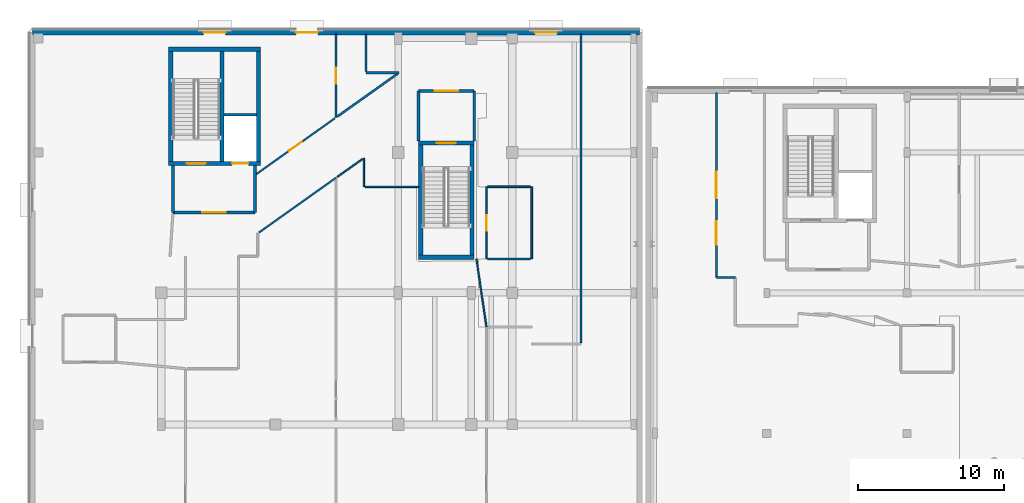
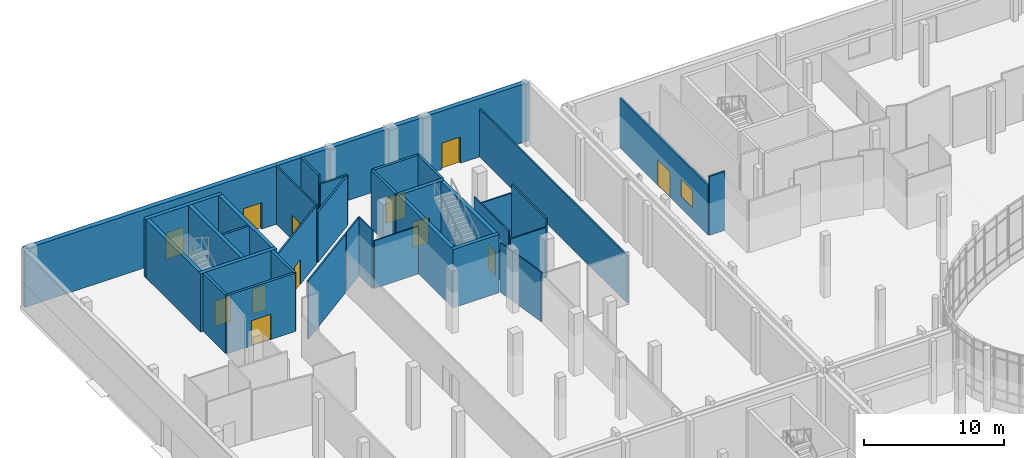
# One storey, part 47 of 84: 34 walls, 12 doors, 1 window, 13 openings.
"""IFC4 building model written with IfcOpenShell, lengths in metres."""

from ifc_helpers import new_model, si_unit, direction, frame, frame_2d, origin, place, context, subcontext, project, spatial, rectangle, extrude, material, layer, layer_set, type_object, element, fill, save


model = new_model("IFC4")

# Units and contexts
model_context = context("Model", 3, precision=1e-05, world=origin(), true_north=direction((0.0, 1.0)))
body_context = subcontext(model_context, "Body", "Model", "MODEL_VIEW")
ifc_project = project(units=[si_unit("LENGTHUNIT", "METRE"), si_unit("AREAUNIT", "SQUARE_METRE"), si_unit("VOLUMEUNIT", "CUBIC_METRE"), si_unit("PLANEANGLEUNIT", "RADIAN"), si_unit("MASSUNIT", "GRAM", prefix="KILO")], contexts=[model_context])

# Site, building, storey
site_placement = place(None, origin())
site = spatial("IfcSite", under=ifc_project, at=site_placement, CompositionType="ELEMENT")
building_placement = place(site_placement, origin())
building = spatial("IfcBuilding", under=site, at=building_placement, Name="Mzevani Central Library", CompositionType="ELEMENT")
storey_placement = place(building_placement, origin())
storey = spatial("IfcBuildingStorey", under=building, at=storey_placement, Name="L00", CompositionType="ELEMENT", Elevation=0.0)

# Wall
ifc_material_1 = material(Name="Concrete C35/45", Category="concrete")
ifc_layer_1 = layer(ifc_material_1, 0.199951171875, Name="Compartment Wall 200")
ifc_layer_set_1 = layer_set([ifc_layer_1], Name="Concrete C35/45")
wall_type_1 = type_object("IfcWallType", Name="Compartment Wall 200", PredefinedType="STANDARD", material=ifc_layer_set_1)
wall_1_placement = place(storey_placement, frame((13.800048828125, 108.699951171875, 0.0), z_axis=(0.0, 0.0, 1.0), x_axis=(0.0, -1.0, 0.0)))
element("IfcWall", 1, at=wall_1_placement, inside=storey, type_object=wall_type_1, Name="L00 Firefighting Stair and Lift Lobby C2A Enclosure Wall 1", PredefinedType="STANDARD", context=body_context, shape_type="SweptSolid", body=[
    extrude(rectangle(XDim=3.199951171875, YDim=0.199951171875, at=frame_2d((1.60009765625, 0.0))), origin(), (0.0, 0.0, 1.0), 5.080078125),
])

# Wall, opening, door
wall_2_placement = place(storey_placement, frame((13.800048828125, 105.5, 0.0), z_axis=(0.0, 0.0, 1.0), x_axis=(1.0, 0.0, 0.0)))
wall_2 = element("IfcWall", 2, at=wall_2_placement, inside=storey, type_object=wall_type_1, Name="L00 Firefighting Stair and Lift Lobby C2A Enclosure Wall 2", PredefinedType="STANDARD", context=body_context, shape_type="SweptSolid", body=[
    extrude(rectangle(XDim=5.599853515625, YDim=0.199951171875, at=frame_2d((2.7998046875, 0.0))), origin(), (0.0, 0.0, 1.0), 5.080078125),
])
opening_1_placement = place(wall_2_placement, frame((2.0, 0.0, 0.0)))
opening_1 = element("IfcOpeningElement", 3, at=opening_1_placement, cuts=wall_2, Name="Opening FD-02", PredefinedType="OPENING", context=body_context, shape_type="SweptSolid", body=[
    extrude(rectangle(XDim=1.60009765625, YDim=2.199951171875, at=frame_2d((0.800048828125, 1.10009765625))), frame((0.0, 0.10986328125, 0.0), z_axis=(0.0, -1.0, 0.0), x_axis=(1.0, 0.0, 0.0)), (0.0, 0.0, 1.0), 0.219970703125),
])
ifc_material_2 = material(Name="Fire-rated steel door assembly", Category="steel")
door_type_1 = type_object("IfcDoorType", Name="Fire Lobby Double Door 1600x2200", OperationType="NOTDEFINED", PredefinedType="DOOR", material=ifc_material_2)
door_1_placement = place(opening_1_placement, origin())
door_1 = element("IfcDoor", 4, at=door_1_placement, inside=storey, type_object=door_type_1, Name="L00 Firefighting Stair and Lift Lobby C2A Smoke-Control Door", OperationType="DOUBLE_DOOR_SINGLE_SWING", OverallHeight=2.199951171875, OverallWidth=1.60009765625, PredefinedType="DOOR", context=body_context, shape_type="SweptSolid", body=[
    extrude(rectangle(XDim=1.60009765625, YDim=2.199951171875, at=frame_2d((0.800048828125, 1.10009765625))), frame((0.0, 0.02490234375, 0.0), z_axis=(0.0, -1.0, 0.0), x_axis=(1.0, 0.0, 0.0)), (0.0, 0.0, 1.0), 0.050048828125),
])
fill(opening_1, door_1)

# Walls
wall_3_placement = place(storey_placement, frame((19.39990234375, 105.5, 0.0), z_axis=(0.0, 0.0, 1.0), x_axis=(0.0, 1.0, 0.0)))
element("IfcWall", 5, at=wall_3_placement, inside=storey, type_object=wall_type_1, Name="L00 Firefighting Stair and Lift Lobby C2A Enclosure Wall 3", PredefinedType="STANDARD", context=body_context, shape_type="SweptSolid", body=[
    extrude(rectangle(XDim=3.199951171875, YDim=0.199951171875, at=frame_2d((1.60009765625, 0.0))), origin(), (0.0, 0.0, 1.0), 5.080078125),
])
wall_4_placement = place(storey_placement, frame((30.60009765625, 110.39990234375, 0.0), z_axis=(0.0, 0.0, 1.0), x_axis=(0.0, 1.0, 0.0)))
element("IfcWall", 6, at=wall_4_placement, inside=storey, type_object=wall_type_1, Name="L00 Stair Vestibule C2B Enclosure Wall 1", PredefinedType="STANDARD", context=body_context, shape_type="SweptSolid", body=[
    extrude(rectangle(XDim=3.400146484375, YDim=0.199951171875, at=frame_2d((1.7001953125, 0.0))), origin(), (0.0, 0.0, 1.0), 5.080078125),
])

# Wall, opening, door
wall_5_placement = place(storey_placement, frame((30.60009765625, 113.800048828125, 0.0), z_axis=(0.0, 0.0, 1.0), x_axis=(1.0, 0.0, 0.0)))
wall_5 = element("IfcWall", 7, at=wall_5_placement, inside=storey, type_object=wall_type_1, Name="L00 Stair Vestibule C2B Enclosure Wall 2", PredefinedType="STANDARD", context=body_context, shape_type="SweptSolid", body=[
    extrude(rectangle(XDim=3.7998046875, YDim=0.199951171875, at=frame_2d((1.89990234375, 0.0))), origin(), (0.0, 0.0, 1.0), 5.080078125),
])
opening_2_placement = place(wall_5_placement, frame((1.10009765625, 0.0, 0.0)))
opening_2 = element("IfcOpeningElement", 8, at=opening_2_placement, cuts=wall_5, Name="Opening FD-02", PredefinedType="OPENING", context=body_context, shape_type="SweptSolid", body=[
    extrude(rectangle(XDim=1.60009765625, YDim=2.199951171875, at=frame_2d((0.800048828125, 1.10009765625))), frame((0.0, 0.10986328125, 0.0), z_axis=(0.0, -1.0, 0.0), x_axis=(1.0, 0.0, 0.0)), (0.0, 0.0, 1.0), 0.219970703125),
])
door_2_placement = place(opening_2_placement, origin())
door_2 = element("IfcDoor", 9, at=door_2_placement, inside=storey, type_object=door_type_1, Name="L00 Stair Vestibule C2B Smoke-Control Door", OperationType="DOUBLE_DOOR_SINGLE_SWING", OverallHeight=2.199951171875, OverallWidth=1.60009765625, PredefinedType="DOOR", context=body_context, shape_type="SweptSolid", body=[
    extrude(rectangle(XDim=1.60009765625, YDim=2.199951171875, at=frame_2d((0.800048828125, 1.10009765625))), frame((0.0, 0.02490234375, 0.0), z_axis=(0.0, -1.0, 0.0), x_axis=(1.0, 0.0, 0.0)), (0.0, 0.0, 1.0), 0.050048828125),
])
fill(opening_2, door_2)

# Wall
wall_6_placement = place(storey_placement, frame((34.39990234375, 113.800048828125, 0.0), z_axis=(0.0, 0.0, 1.0), x_axis=(0.0, -1.0, 0.0)))
element("IfcWall", 10, at=wall_6_placement, inside=storey, type_object=wall_type_1, Name="L00 Stair Vestibule C2B Enclosure Wall 3", PredefinedType="STANDARD", context=body_context, shape_type="SweptSolid", body=[
    extrude(rectangle(XDim=3.400146484375, YDim=0.199951171875, at=frame_2d((1.7001953125, 0.0))), origin(), (0.0, 0.0, 1.0), 5.080078125),
])

# Wall, openings, doors
ifc_material_3 = material(Name="Concrete C40/50", Category="concrete")
ifc_layer_2 = layer(ifc_material_3, 0.300048828125, Name="Core Shear Wall 300")
ifc_layer_set_2 = layer_set([ifc_layer_2], Name="Concrete C40/50")
wall_type_2 = type_object("IfcWallType", Name="Core Shear Wall 300", PredefinedType="SHEAR", material=ifc_layer_set_2)
wall_7_placement = place(storey_placement, frame((19.800048828125, 108.85009765625, 0.0), z_axis=(0.0, 0.0, 1.0), x_axis=(-1.0, 0.0, 0.0)))
wall_7 = element("IfcWall", 11, at=wall_7_placement, inside=storey, type_object=wall_type_2, Name="L00 Core C2A North-West Firefighting Core Shear Wall (-y)", PredefinedType="SHEAR", context=body_context, shape_type="SweptSolid", body=[
    extrude(rectangle(XDim=6.300048828125, YDim=0.300048828125, at=frame_2d((3.14990234375, 0.0))), origin(), (0.0, 0.0, 1.0), 5.080078125),
])
opening_3_placement = place(wall_7_placement, frame((3.75, 0.0, 0.0)))
opening_3 = element("IfcOpeningElement", 12, at=opening_3_placement, cuts=wall_7, Name="Opening FD-01", PredefinedType="OPENING", context=body_context, shape_type="SweptSolid", body=[
    extrude(rectangle(XDim=1.300048828125, YDim=2.199951171875, at=frame_2d((0.64990234375, 1.10009765625))), frame((0.0, 0.16015625, 0.0), z_axis=(0.0, -1.0, 0.0), x_axis=(1.0, 0.0, 0.0)), (0.0, 0.0, 1.0), 0.320068359375),
])
opening_4_placement = place(wall_7_placement, frame((0.85009765625, 0.0, 0.0)))
opening_4 = element("IfcOpeningElement", 13, at=opening_4_placement, cuts=wall_7, Name="Opening LD-02", PredefinedType="OPENING", context=body_context, shape_type="SweptSolid", body=[
    extrude(rectangle(XDim=1.10009765625, YDim=2.14990234375, at=frame_2d((0.550048828125, 1.074951171875))), frame((0.0, 0.16015625, 0.0), z_axis=(0.0, -1.0, 0.0), x_axis=(1.0, 0.0, 0.0)), (0.0, 0.0, 1.0), 0.320068359375),
])
door_type_2 = type_object("IfcDoorType", Name="Fire Stair Door 1300x2200", OperationType="NOTDEFINED", PredefinedType="DOOR", material=ifc_material_2)
door_3_placement = place(opening_3_placement, origin())
door_3 = element("IfcDoor", 14, at=door_3_placement, inside=storey, type_object=door_type_2, Name="L00 ST-03 Protected Exit Stair Door", OperationType="SINGLE_SWING_LEFT", OverallHeight=2.199951171875, OverallWidth=1.300048828125, PredefinedType="DOOR", context=body_context, shape_type="SweptSolid", body=[
    extrude(rectangle(XDim=1.300048828125, YDim=2.199951171875, at=frame_2d((0.64990234375, 1.10009765625))), frame((0.0, 0.02490234375, 0.0), z_axis=(0.0, -1.0, 0.0), x_axis=(1.0, 0.0, 0.0)), (0.0, 0.0, 1.0), 0.050048828125),
])
fill(opening_3, door_3)
ifc_material_4 = material(Name="Brushed stainless steel door", Category="steel")
door_type_3 = type_object("IfcDoorType", Name="Firefighting Lift Landing Door 1100x2150", OperationType="NOTDEFINED", PredefinedType="DOOR", material=ifc_material_4)
door_4_placement = place(opening_4_placement, origin())
door_4 = element("IfcDoor", 15, at=door_4_placement, inside=storey, type_object=door_type_3, Name="L00 Lift LF-FF1 Sliding Landing Door", OperationType="SLIDING_TO_LEFT", OverallHeight=2.14990234375, OverallWidth=1.10009765625, PredefinedType="DOOR", context=body_context, shape_type="SweptSolid", body=[
    extrude(rectangle(XDim=1.10009765625, YDim=2.14990234375, at=frame_2d((0.550048828125, 1.074951171875))), frame((0.0, 0.02490234375, 0.0), z_axis=(0.0, -1.0, 0.0), x_axis=(1.0, 0.0, 0.0)), (0.0, 0.0, 1.0), 0.050048828125),
])
fill(opening_4, door_4)

# Walls
wall_8_placement = place(storey_placement, frame((13.64990234375, 108.699951171875, 0.0), z_axis=(0.0, 0.0, 1.0), x_axis=(0.0, 1.0, 0.0)))
element("IfcWall", 16, at=wall_8_placement, inside=storey, type_object=wall_type_2, Name="L00 Core C2A North-West Firefighting Core Shear Wall (-x)", PredefinedType="SHEAR", context=body_context, shape_type="SweptSolid", body=[
    extrude(rectangle(XDim=8.10009765625, YDim=0.300048828125, at=frame_2d((4.050048828125, 0.0))), origin(), (0.0, 0.0, 1.0), 5.080078125),
])
wall_9_placement = place(storey_placement, frame((13.5, 116.64990234375, 0.0), z_axis=(0.0, 0.0, 1.0), x_axis=(1.0, 0.0, 0.0)))
element("IfcWall", 17, at=wall_9_placement, inside=storey, type_object=wall_type_2, Name="L00 Core C2A North-West Firefighting Core Shear Wall (+y)", PredefinedType="SHEAR", context=body_context, shape_type="SweptSolid", body=[
    extrude(rectangle(XDim=6.300048828125, YDim=0.300048828125, at=frame_2d((3.14990234375, 0.0))), origin(), (0.0, 0.0, 1.0), 5.080078125),
])
wall_10_placement = place(storey_placement, frame((19.64990234375, 116.800048828125, 0.0), z_axis=(0.0, 0.0, 1.0), x_axis=(0.0, -1.0, 0.0)))
element("IfcWall", 18, at=wall_10_placement, inside=storey, type_object=wall_type_2, Name="L00 Core C2A North-West Firefighting Core Shear Wall (+x)", PredefinedType="SHEAR", context=body_context, shape_type="SweptSolid", body=[
    extrude(rectangle(XDim=8.10009765625, YDim=0.300048828125, at=frame_2d((4.050048828125, 0.0))), origin(), (0.0, 0.0, 1.0), 5.080078125),
])
wall_11_placement = place(storey_placement, frame((17.14990234375, 108.85009765625, 0.0), z_axis=(0.0, 0.0, 1.0), x_axis=(0.0, 1.0, 0.0)))
element("IfcWall", 19, at=wall_11_placement, inside=storey, type_object=wall_type_2, Name="L00 Core C2A North-West Firefighting Core Hoistway Shear Wall", PredefinedType="SHEAR", context=body_context, shape_type="SweptSolid", body=[
    extrude(rectangle(XDim=7.7998046875, YDim=0.300048828125, at=frame_2d((3.89990234375, 0.0))), origin(), (0.0, 0.0, 1.0), 5.080078125),
])
wall_12_placement = place(storey_placement, frame((34.39990234375, 102.449951171875, 0.0), z_axis=(0.0, 0.0, 1.0), x_axis=(-1.0, 0.0, 0.0)))
element("IfcWall", 20, at=wall_12_placement, inside=storey, type_object=wall_type_2, Name="L00 Core C2B Stacks East Escape Stair Shear Wall (-y)", PredefinedType="SHEAR", context=body_context, shape_type="SweptSolid", body=[
    extrude(rectangle(XDim=3.7998046875, YDim=0.300048828125, at=frame_2d((1.89990234375, 0.0))), origin(), (0.0, 0.0, 1.0), 5.080078125),
])
wall_13_placement = place(storey_placement, frame((30.75, 102.300048828125, 0.0), z_axis=(0.0, 0.0, 1.0), x_axis=(0.0, 1.0, 0.0)))
element("IfcWall", 21, at=wall_13_placement, inside=storey, type_object=wall_type_2, Name="L00 Core C2B Stacks East Escape Stair Shear Wall (-x)", PredefinedType="SHEAR", context=body_context, shape_type="SweptSolid", body=[
    extrude(rectangle(XDim=8.099853515625, YDim=0.300048828125, at=frame_2d((4.0498046875, 0.0))), origin(), (0.0, 0.0, 1.0), 5.080078125),
])

# Wall, opening, door
wall_14_placement = place(storey_placement, frame((30.60009765625, 110.25, 0.0), z_axis=(0.0, 0.0, 1.0), x_axis=(1.0, 0.0, 0.0)))
wall_14 = element("IfcWall", 22, at=wall_14_placement, inside=storey, type_object=wall_type_2, Name="L00 Core C2B Stacks East Escape Stair Shear Wall (+y)", PredefinedType="SHEAR", context=body_context, shape_type="SweptSolid", body=[
    extrude(rectangle(XDim=3.7998046875, YDim=0.300048828125, at=frame_2d((1.89990234375, 0.0))), origin(), (0.0, 0.0, 1.0), 5.080078125),
])
opening_5_placement = place(wall_14_placement, frame((1.25, 0.0, 0.0)))
opening_5 = element("IfcOpeningElement", 23, at=opening_5_placement, cuts=wall_14, Name="Opening FD-01", PredefinedType="OPENING", context=body_context, shape_type="SweptSolid", body=[
    extrude(rectangle(XDim=1.300048828125, YDim=2.199951171875, at=frame_2d((0.64990234375, 1.10009765625))), frame((0.0, 0.16015625, 0.0), z_axis=(0.0, -1.0, 0.0), x_axis=(1.0, 0.0, 0.0)), (0.0, 0.0, 1.0), 0.320068359375),
])
door_5_placement = place(opening_5_placement, origin())
door_5 = element("IfcDoor", 24, at=door_5_placement, inside=storey, type_object=door_type_2, Name="L00 ST-04 Protected Exit Stair Door", OperationType="SINGLE_SWING_RIGHT", OverallHeight=2.199951171875, OverallWidth=1.300048828125, PredefinedType="DOOR", context=body_context, shape_type="SweptSolid", body=[
    extrude(rectangle(XDim=1.300048828125, YDim=2.199951171875, at=frame_2d((0.64990234375, 1.10009765625))), frame((0.0, 0.02490234375, 0.0), z_axis=(0.0, -1.0, 0.0), x_axis=(1.0, 0.0, 0.0)), (0.0, 0.0, 1.0), 0.050048828125),
])
fill(opening_5, door_5)

# Wall
wall_15_placement = place(storey_placement, frame((34.25, 110.39990234375, 0.0), z_axis=(0.0, 0.0, 1.0), x_axis=(0.0, -1.0, 0.0)))
element("IfcWall", 25, at=wall_15_placement, inside=storey, type_object=wall_type_2, Name="L00 Core C2B Stacks East Escape Stair Shear Wall (+x)", PredefinedType="SHEAR", context=body_context, shape_type="SweptSolid", body=[
    extrude(rectangle(XDim=8.099853515625, YDim=0.300048828125, at=frame_2d((4.0498046875, 0.0))), origin(), (0.0, 0.0, 1.0), 5.080078125),
])

# Wall, openings, doors
ifc_material_5 = material(Name="Precast concrete C40/50", Category="concrete")
ifc_layer_3 = layer(ifc_material_5, 0.3798828125, Name="Exterior Thermal Concrete Wall 380")
ifc_layer_set_3 = layer_set([ifc_layer_3], Name="Precast concrete C40/50")
wall_type_3 = type_object("IfcWallType", Name="Exterior Thermal Concrete Wall 380", PredefinedType="STANDARD", material=ifc_layer_set_3)
wall_16_placement = place(storey_placement, frame((4.18994140625, 117.81005859375, 0.0), z_axis=(0.0, 0.0, 1.0), x_axis=(1.0, 0.0, 0.0)))
wall_16 = element("IfcWall", 26, at=wall_16_placement, inside=storey, type_object=wall_type_3, Name="L00 V2 Exterior Thermal Wall (18)", PredefinedType="STANDARD", context=body_context, shape_type="SweptSolid", body=[
    extrude(rectangle(XDim=41.52001953125, YDim=0.3798828125, at=frame_2d((20.760009765625, 0.0))), origin(), (0.0, 0.0, 1.0), 5.080078125),
])
opening_6_placement = place(wall_16_placement, frame((34.360107421875, 0.0, 0.0)))
opening_6 = element("IfcOpeningElement", 27, at=opening_6_placement, cuts=wall_16, Name="Opening ED-01", PredefinedType="OPENING", context=body_context, shape_type="SweptSolid", body=[
    extrude(rectangle(XDim=1.5, YDim=2.300048828125, at=frame_2d((0.75, 1.14990234375))), frame((0.0, 0.199951171875, 0.0), z_axis=(0.0, -1.0, 0.0), x_axis=(1.0, 0.0, 0.0)), (0.0, 0.0, 1.0), 0.39990234375),
])
opening_7_placement = place(wall_16_placement, frame((18.010009765625, 0.0, 0.0)))
opening_7 = element("IfcOpeningElement", 28, at=opening_7_placement, cuts=wall_16, Name="Opening ED-01", PredefinedType="OPENING", context=body_context, shape_type="SweptSolid", body=[
    extrude(rectangle(XDim=1.5, YDim=2.300048828125, at=frame_2d((0.75, 1.14990234375))), frame((0.0, 0.199951171875, 0.0), z_axis=(0.0, -1.0, 0.0), x_axis=(1.0, 0.0, 0.0)), (0.0, 0.0, 1.0), 0.39990234375),
])
opening_8_placement = place(wall_16_placement, frame((11.7099609375, 0.0, 0.0)))
opening_8 = element("IfcOpeningElement", 29, at=opening_8_placement, cuts=wall_16, Name="Opening ED-01", PredefinedType="OPENING", context=body_context, shape_type="SweptSolid", body=[
    extrude(rectangle(XDim=1.5, YDim=2.300048828125, at=frame_2d((0.75, 1.14990234375))), frame((0.0, 0.199951171875, 0.0), z_axis=(0.0, -1.0, 0.0), x_axis=(1.0, 0.0, 0.0)), (0.0, 0.0, 1.0), 0.39990234375),
])
ifc_material_6 = material(Name="Anodized architectural bronze")
door_type_4 = type_object("IfcDoorType", Name="Exterior Final Exit Door 1500x2300", OperationType="NOTDEFINED", PredefinedType="DOOR", material=ifc_material_6)
door_6_placement = place(opening_6_placement, origin())
door_6 = element("IfcDoor", 30, at=door_6_placement, inside=storey, type_object=door_type_4, Name="L00 V2 Protected Exit Corridor Final Discharge Door", OperationType="SINGLE_SWING_RIGHT", OverallHeight=2.300048828125, OverallWidth=1.5, PredefinedType="DOOR", context=body_context, shape_type="SweptSolid", body=[
    extrude(rectangle(XDim=1.5, YDim=2.300048828125, at=frame_2d((0.75, 1.14990234375))), frame((0.0, 0.02490234375, 0.0), z_axis=(0.0, -1.0, 0.0), x_axis=(1.0, 0.0, 0.0)), (0.0, 0.0, 1.0), 0.050048828125),
])
fill(opening_6, door_6)
door_7_placement = place(opening_7_placement, origin())
door_7 = element("IfcDoor", 31, at=door_7_placement, inside=storey, type_object=door_type_4, Name="L00 V2 Exterior Entrance / Exit Door (12)", OperationType="SINGLE_SWING_LEFT", OverallHeight=2.300048828125, OverallWidth=1.5, PredefinedType="DOOR", context=body_context, shape_type="SweptSolid", body=[
    extrude(rectangle(XDim=1.5, YDim=2.300048828125, at=frame_2d((0.75, 1.14990234375))), frame((0.0, 0.02490234375, 0.0), z_axis=(0.0, -1.0, 0.0), x_axis=(1.0, 0.0, 0.0)), (0.0, 0.0, 1.0), 0.050048828125),
])
fill(opening_7, door_7)
door_8_placement = place(opening_8_placement, origin())
door_8 = element("IfcDoor", 32, at=door_8_placement, inside=storey, type_object=door_type_4, Name="L00 ST-03 Final Grade Exit Discharge Door", OperationType="SINGLE_SWING_RIGHT", OverallHeight=2.300048828125, OverallWidth=1.5, PredefinedType="DOOR", context=body_context, shape_type="SweptSolid", body=[
    extrude(rectangle(XDim=1.5, YDim=2.300048828125, at=frame_2d((0.75, 1.14990234375))), frame((0.0, 0.02490234375, 0.0), z_axis=(0.0, -1.0, 0.0), x_axis=(1.0, 0.0, 0.0)), (0.0, 0.0, 1.0), 0.050048828125),
])
fill(opening_8, door_8)

# Wall
ifc_material_7 = material(Name="Fire-rated gypsum board", Category="gypsum")
ifc_layer_4 = layer(ifc_material_7, 0.1201171875, Name="Partition Acoustic 120")
ifc_layer_set_4 = layer_set([ifc_layer_4], Name="Fire-rated gypsum board")
wall_type_4 = type_object("IfcWallType", Name="Partition Acoustic 120", PredefinedType="PARTITIONING", material=ifc_layer_set_4)
wall_17_placement = place(storey_placement, frame((19.681396484375, 104.12890625, 0.0), z_axis=(0.0, 0.0, 1.0), x_axis=(0.815111881722, 0.579303564874, 0.0)))
element("IfcWall", 33, at=wall_17_placement, inside=storey, type_object=wall_type_4, Name="L00 V2 Partition IW-02 (105)", PredefinedType="PARTITIONING", context=body_context, shape_type="SweptSolid", body=[
    extrude(rectangle(XDim=6.463623046875, YDim=0.1201171875, at=frame_2d((3.23193359375, 0.0))), origin(), (0.0, 0.0, 1.0), 5.080078125),
])

# Wall, opening, door
wall_18_placement = place(storey_placement, frame((24.949951171875, 117.7099609375, 0.0), z_axis=(0.0, 0.0, 1.0), x_axis=(0.0, -1.0, 0.0)))
wall_18 = element("IfcWall", 34, at=wall_18_placement, inside=storey, type_object=wall_type_4, Name="L00 V2 Partition IW-02 (108)", PredefinedType="PARTITIONING", context=body_context, shape_type="SweptSolid", body=[
    extrude(rectangle(XDim=5.714599609375, YDim=0.1201171875, at=frame_2d((2.857421875, 0.0))), origin(), (0.0, 0.0, 1.0), 5.080078125),
])
opening_9_placement = place(wall_18_placement, frame((2.307373046875, 0.0, 0.0)))
opening_9 = element("IfcOpeningElement", 35, at=opening_9_placement, cuts=wall_18, Name="Opening FD-04", PredefinedType="OPENING", context=body_context, shape_type="SweptSolid", body=[
    extrude(rectangle(XDim=1.10009765625, YDim=2.14990234375, at=frame_2d((0.550048828125, 1.074951171875))), frame((0.0, 0.070068359375, 0.0), z_axis=(0.0, -1.0, 0.0), x_axis=(1.0, 0.0, 0.0)), (0.0, 0.0, 1.0), 0.14013671875),
])
door_type_5 = type_object("IfcDoorType", Name="Fire Compartment Door 1100x2150", OperationType="NOTDEFINED", PredefinedType="DOOR", material=ifc_material_2)
door_9_placement = place(opening_9_placement, origin())
door_9 = element("IfcDoor", 36, at=door_9_placement, inside=storey, type_object=door_type_5, Name="L00 Closed-Access Book Acquisitions Hall 2 Door", OperationType="SINGLE_SWING_LEFT", OverallHeight=2.14990234375, OverallWidth=1.10009765625, PredefinedType="DOOR", context=body_context, shape_type="SweptSolid", body=[
    extrude(rectangle(XDim=1.10009765625, YDim=2.14990234375, at=frame_2d((0.550048828125, 1.074951171875))), frame((0.0, 0.02490234375, 0.0), z_axis=(0.0, -1.0, 0.0), x_axis=(1.0, 0.0, 0.0)), (0.0, 0.0, 1.0), 0.050048828125),
])
fill(opening_9, door_9)

wall_19_placement = place(storey_placement, frame((24.868408203125, 111.9375, 0.0), z_axis=(0.0, 0.0, 1.0), x_axis=(-0.815106502329, -0.579311133901, 0.0)))
wall_19 = element("IfcWall", 37, at=wall_19_placement, inside=storey, type_object=wall_type_4, Name="L00 V2 Partition IW-02 (109)", PredefinedType="PARTITIONING", context=body_context, shape_type="SweptSolid", body=[
    extrude(rectangle(XDim=6.60888671875, YDim=0.1201171875, at=frame_2d((3.304443359375, 0.0))), origin(), (0.0, 0.0, 1.0), 5.080078125),
])
opening_10_placement = place(wall_19_placement, frame((2.779296875, 0.0, 0.0)))
opening_10 = element("IfcOpeningElement", 38, at=opening_10_placement, cuts=wall_19, Name="Opening ID-05", PredefinedType="OPENING", context=body_context, shape_type="SweptSolid", body=[
    extrude(rectangle(XDim=1.050048828125, YDim=2.14990234375, at=frame_2d((0.52490234375, 1.074951171875))), frame((0.0, 0.070068359375, 0.0), z_axis=(0.0, -1.0, 0.0), x_axis=(1.0, 0.0, 0.0)), (0.0, 0.0, 1.0), 0.14013671875),
])
ifc_material_8 = material(Name="Fire-rated solid oak leaf")
door_type_6 = type_object("IfcDoorType", Name="Conservation Lab Door 1050x2150", OperationType="NOTDEFINED", PredefinedType="DOOR", material=ifc_material_8)
door_10_placement = place(opening_10_placement, origin())
door_10 = element("IfcDoor", 39, at=door_10_placement, inside=storey, type_object=door_type_6, Name="L00 Quarantine and Deacidification Room Door", OperationType="SINGLE_SWING_LEFT", OverallHeight=2.14990234375, OverallWidth=1.050048828125, PredefinedType="DOOR", context=body_context, shape_type="SweptSolid", body=[
    extrude(rectangle(XDim=1.050048828125, YDim=2.14990234375, at=frame_2d((0.52490234375, 1.074951171875))), frame((0.0, 0.02490234375, 0.0), z_axis=(0.0, -1.0, 0.0), x_axis=(1.0, 0.0, 0.0)), (0.0, 0.0, 1.0), 0.050048828125),
])
fill(opening_10, door_10)

# Walls
wall_20_placement = place(storey_placement, frame((41.699951171875, 96.60009765625, 0.0), z_axis=(0.0, 0.0, 1.0), x_axis=(0.0, 1.0, 0.0)))
element("IfcWall", 40, at=wall_20_placement, inside=storey, type_object=wall_type_4, Name="L00 V2 Partition IW-02 (120)", PredefinedType="PARTITIONING", context=body_context, shape_type="SweptSolid", body=[
    extrude(rectangle(XDim=21.10986328125, YDim=0.1201171875, at=frame_2d((10.554931640625, 0.0))), origin(), (0.0, 0.0, 1.0), 4.159912109375),
])
wall_21_placement = place(storey_placement, frame((38.340087890625, 107.25, 0.0), z_axis=(0.0, 0.0, 1.0), x_axis=(0.0, -1.0, 0.0)))
element("IfcWall", 41, at=wall_21_placement, inside=storey, type_object=wall_type_4, Name="L00 V2 Partition IW-02 (122)", PredefinedType="PARTITIONING", context=body_context, shape_type="SweptSolid", body=[
    extrude(rectangle(XDim=4.925048828125, YDim=0.1201171875, at=frame_2d((2.46240234375, 0.0))), origin(), (0.0, 0.0, 1.0), 5.080078125),
])
for number, where, z_axis, x_axis, name in (
    (42, (38.239990234375, 102.324951171875, 0.0), (0.0, 0.0, 1.0), (-1.0, 0.0, 0.0), "L00 V2 Partition IW-02 (123)"),
    (43, (35.3349609375, 107.25, 0.0), (0.0, 0.0, 1.0), (1.0, 0.0, 0.0), "L00 V2 Partition IW-02 (124)"),
):
    element("IfcWall", number, at=place(storey_placement, frame(where, z_axis=z_axis, x_axis=x_axis)), inside=storey, type_object=wall_type_4, Name=name, PredefinedType="PARTITIONING", context=body_context, shape_type="SweptSolid", body=[
        extrude(rectangle(XDim=2.905029296875, YDim=0.1201171875, at=frame_2d((1.45263671875, 0.0))), origin(), (0.0, 0.0, 1.0), 4.360107421875),
    ])
ifc_layer_5 = layer(ifc_material_7, 0.10009765625, Name="Partition Gypsum 100")
ifc_layer_set_5 = layer_set([ifc_layer_5], Name="Fire-rated gypsum board")
wall_type_5 = type_object("IfcWallType", Name="Partition Gypsum 100", PredefinedType="PARTITIONING", material=ifc_layer_set_5)
wall_22_placement = place(storey_placement, frame((26.85009765625, 109.223388671875, 0.0), z_axis=(0.0, 0.0, 1.0), x_axis=(0.0, -1.0, 0.0)))
element("IfcWall", 44, at=wall_22_placement, inside=storey, type_object=wall_type_5, Name="L00 V2 Partition IW-01 (110)", PredefinedType="PARTITIONING", context=body_context, shape_type="SweptSolid", body=[
    extrude(rectangle(XDim=1.973388671875, YDim=0.10009765625, at=frame_2d((0.98681640625, 0.0))), origin(), (0.0, 0.0, 1.0), 5.080078125),
])
wall_23_placement = place(storey_placement, frame((26.949951171875, 107.25, 0.0), z_axis=(0.0, 0.0, 1.0), x_axis=(1.0, 0.0, 0.0)))
element("IfcWall", 45, at=wall_23_placement, inside=storey, type_object=wall_type_5, Name="L00 V2 Partition IW-01 (111)", PredefinedType="PARTITIONING", context=body_context, shape_type="SweptSolid", body=[
    extrude(rectangle(XDim=3.650146484375, YDim=0.10009765625, at=frame_2d((1.8251953125, 0.0))), origin(), (0.0, 0.0, 1.0), 4.159912109375),
])

# Wall, opening, door
wall_24_placement = place(storey_placement, frame((35.235107421875, 107.25, 0.0), z_axis=(0.0, 0.0, 1.0), x_axis=(0.0, -1.0, 0.0)))
wall_24 = element("IfcWall", 46, at=wall_24_placement, inside=storey, type_object=wall_type_5, Name="L00 V2 Partition IW-01 (112)", PredefinedType="PARTITIONING", context=body_context, shape_type="SweptSolid", body=[
    extrude(rectangle(XDim=4.925048828125, YDim=0.10009765625, at=frame_2d((2.46240234375, 0.0))), origin(), (0.0, 0.0, 1.0), 5.080078125),
])
opening_11_placement = place(wall_24_placement, frame((1.9375, 0.0, 0.0)))
opening_11 = element("IfcOpeningElement", 47, at=opening_11_placement, cuts=wall_24, Name="Opening ID-05", PredefinedType="OPENING", context=body_context, shape_type="SweptSolid", body=[
    extrude(rectangle(XDim=1.050048828125, YDim=2.14990234375, at=frame_2d((0.52490234375, 1.074951171875))), frame((0.0, 0.06005859375, 0.0), z_axis=(0.0, -1.0, 0.0), x_axis=(1.0, 0.0, 0.0)), (0.0, 0.0, 1.0), 0.1201171875),
])
door_11_placement = place(opening_11_placement, origin())
door_11 = element("IfcDoor", 48, at=door_11_placement, inside=storey, type_object=door_type_6, Name="L00 Quarantine and Deacidification Room 4 Door", OperationType="SINGLE_SWING_LEFT", OverallHeight=2.14990234375, OverallWidth=1.050048828125, PredefinedType="DOOR", context=body_context, shape_type="SweptSolid", body=[
    extrude(rectangle(XDim=1.050048828125, YDim=2.14990234375, at=frame_2d((0.52490234375, 1.074951171875))), frame((0.0, 0.02490234375, 0.0), z_axis=(0.0, -1.0, 0.0), x_axis=(1.0, 0.0, 0.0)), (0.0, 0.0, 1.0), 0.050048828125),
])
fill(opening_11, door_11)

# Walls
wall_25_placement = place(storey_placement, frame((34.550048828125, 102.324951171875, 0.0), z_axis=(0.0, 0.0, 1.0), x_axis=(0.14575418807, -0.989320836059, 0.0)))
element("IfcWall", 49, at=wall_25_placement, inside=storey, type_object=wall_type_5, Name="L00 V2 Partition IW-01 (113)", PredefinedType="PARTITIONING", context=body_context, shape_type="SweptSolid", body=[
    extrude(rectangle(XDim=4.7001953125, YDim=0.10009765625, at=frame_2d((2.35009765625, 0.0))), origin(), (0.0, 0.0, 1.0), 4.31005859375),
])
wall_26_placement = place(storey_placement, frame((25.031494140625, 107.93115234375, 0.0), z_axis=(0.0, 0.0, 1.0), x_axis=(0.815147665864, 0.57925321133, 0.0)))
element("IfcWall", 50, at=wall_26_placement, inside=storey, type_object=wall_type_5, Name="L00 V2 Partition IW-01 (115)", PredefinedType="PARTITIONING", context=body_context, shape_type="SweptSolid", body=[
    extrude(rectangle(XDim=2.130859375, YDim=0.10009765625, at=frame_2d((1.0654296875, 0.0))), origin(), (0.0, 0.0, 1.0), 5.080078125),
])
ifc_layer_6 = layer(ifc_material_7, 0.14990234375, Name="Partition Study 150")
ifc_layer_set_6 = layer_set([ifc_layer_6], Name="Fire-rated gypsum board")
wall_type_6 = type_object("IfcWallType", Name="Partition Study 150", PredefinedType="PARTITIONING", material=ifc_layer_set_6)
wall_27_placement = place(storey_placement, frame((27.0, 115.050048828125, 0.0), z_axis=(0.0, 0.0, 1.0), x_axis=(1.0, 0.0, 0.0)))
element("IfcWall", 51, at=wall_27_placement, inside=storey, type_object=wall_type_6, Name="L00 V2 Partition IW-03 (116)", PredefinedType="PARTITIONING", context=body_context, shape_type="SweptSolid", body=[
    extrude(rectangle(XDim=2.248291015625, YDim=0.14990234375, at=frame_2d((1.1240234375, 0.0))), origin(), (0.0, 0.0, 1.0), 4.360107421875),
])
wall_28_placement = place(storey_placement, frame((29.166748046875, 114.9921875, 0.0), z_axis=(0.0, 0.0, 1.0), x_axis=(-0.815109845226, -0.579306430324, 0.0)))
element("IfcWall", 52, at=wall_28_placement, inside=storey, type_object=wall_type_6, Name="L00 V2 Partition IW-03 (117)", PredefinedType="PARTITIONING", context=body_context, shape_type="SweptSolid", body=[
    extrude(rectangle(XDim=5.0732421875, YDim=0.14990234375, at=frame_2d((2.53662109375, 0.0))), origin(), (0.0, 0.0, 1.0), 4.360107421875),
])
wall_29_placement = place(storey_placement, frame((27.0, 117.7099609375, 0.0), z_axis=(0.0, 0.0, 1.0), x_axis=(0.0, -1.0, 0.0)))
element("IfcWall", 53, at=wall_29_placement, inside=storey, type_object=wall_type_6, Name="L00 V2 Partition IW-03 (118)", PredefinedType="PARTITIONING", context=body_context, shape_type="SweptSolid", body=[
    extrude(rectangle(XDim=2.56005859375, YDim=0.14990234375, at=frame_2d((1.280029296875, 0.0))), origin(), (0.0, 0.0, 1.0), 5.080078125),
])

# Wall, openings, door, window
wall_30_placement = place(storey_placement, frame((50.955078125, 113.7099609375, 0.0), z_axis=(0.0, 0.0, 1.0), x_axis=(0.0, -1.0, 0.0)))
wall_30 = element("IfcWall", 54, at=wall_30_placement, inside=storey, type_object=wall_type_6, Name="L00 V3 Partition IW-03 (134)", PredefinedType="PARTITIONING", context=body_context, shape_type="SweptSolid", body=[
    extrude(rectangle(XDim=12.659912109375, YDim=0.14990234375, at=frame_2d((6.330078125, 0.0))), origin(), (0.0, 0.0, 1.0), 4.300048828125),
])
opening_12_placement = place(wall_30_placement, frame((5.429931640625, 0.0, 0.0)))
opening_12 = element("IfcOpeningElement", 55, at=opening_12_placement, cuts=wall_30, Name="Opening FD-06", PredefinedType="OPENING", context=body_context, shape_type="SweptSolid", body=[
    extrude(rectangle(XDim=1.800048828125, YDim=2.199951171875, at=frame_2d((0.89990234375, 1.10009765625))), frame((0.0, 0.0849609375, 0.0), z_axis=(0.0, -1.0, 0.0), x_axis=(1.0, 0.0, 0.0)), (0.0, 0.0, 1.0), 0.169921875),
])
opening_13_placement = place(wall_30_placement, frame((8.821533203125, 0.0, 1.050048828125)))
opening_13 = element("IfcOpeningElement", 56, at=opening_13_placement, cuts=wall_30, Name="Opening IW-W01", PredefinedType="OPENING", context=body_context, shape_type="SweptSolid", body=[
    extrude(rectangle(XDim=1.60009765625, YDim=1.5, at=frame_2d((0.800048828125, 0.75))), frame((0.0, 0.0849609375, 0.0), z_axis=(0.0, -1.0, 0.0), x_axis=(1.0, 0.0, 0.0)), (0.0, 0.0, 1.0), 0.169921875),
])
door_type_7 = type_object("IfcDoorType", Name="Fire Corridor Double Door 1800x2200", OperationType="NOTDEFINED", PredefinedType="DOOR", material=ifc_material_2)
door_12_placement = place(opening_12_placement, origin())
door_12 = element("IfcDoor", 57, at=door_12_placement, inside=storey, type_object=door_type_7, Name="L00 Elliptical Court Reading Gallery Door", OperationType="DOUBLE_DOOR_SINGLE_SWING", OverallHeight=2.199951171875, OverallWidth=1.800048828125, PredefinedType="DOOR", context=body_context, shape_type="SweptSolid", body=[
    extrude(rectangle(XDim=1.800048828125, YDim=2.199951171875, at=frame_2d((0.89990234375, 1.10009765625))), frame((0.0, 0.02490234375, 0.0), z_axis=(0.0, -1.0, 0.0), x_axis=(1.0, 0.0, 0.0)), (0.0, 0.0, 1.0), 0.050048828125),
])
fill(opening_12, door_12)
ifc_material_9 = material(Name="Low-E triple glazing glass", Category="glass")
window_type = type_object("IfcWindowType", Name="Interior Borrowed Light 1600x1500", PartitioningType="SINGLE_PANEL", PredefinedType="WINDOW", material=ifc_material_9)
window_placement = place(opening_13_placement, origin())
window = element("IfcWindow", 58, at=window_placement, inside=storey, type_object=window_type, Name="L00 Elliptical Court Reading Gallery Acoustic Borrowed Light", OverallHeight=1.5, OverallWidth=1.60009765625, PartitioningType="SINGLE_PANEL", PredefinedType="WINDOW", context=body_context, shape_type="SweptSolid", body=[
    extrude(rectangle(XDim=1.60009765625, YDim=1.5, at=frame_2d((0.800048828125, 0.75))), frame((0.0, 0.030029296875, 0.0), z_axis=(0.0, -1.0, 0.0), x_axis=(1.0, 0.0, 0.0)), (0.0, 0.0, 1.0), 0.06005859375),
])
fill(opening_13, window)

# Walls
wall_31_placement = place(storey_placement, frame((50.955078125, 101.050048828125, 0.0), z_axis=(0.0, 0.0, 1.0), x_axis=(1.0, 0.0, 0.0)))
element("IfcWall", 59, at=wall_31_placement, inside=storey, type_object=wall_type_6, Name="L00 V3 Partition IW-03 (135)", PredefinedType="PARTITIONING", context=body_context, shape_type="SweptSolid", body=[
    extrude(rectangle(XDim=1.294921875, YDim=0.14990234375, at=frame_2d((0.6474609375, 0.0))), origin(), (0.0, 0.0, 1.0), 5.1201171875),
])
ifc_material_10 = material(Name="Concrete blockwork masonry", Category="masonry")
ifc_layer_7 = layer(ifc_material_10, 0.179931640625, Name="Shaft Enclosure Wall 180")
ifc_layer_set_7 = layer_set([ifc_layer_7], Name="Concrete blockwork masonry")
wall_type_7 = type_object("IfcWallType", Name="Shaft Enclosure Wall 180", PredefinedType="PARTITIONING", material=ifc_layer_set_7)
wall_32_placement = place(storey_placement, frame((17.300048828125, 112.18994140625, 0.0), z_axis=(0.0, 0.0, 1.0), x_axis=(1.0, 0.0, 0.0)))
element("IfcWall", 60, at=wall_32_placement, inside=storey, type_object=wall_type_7, Name="L00 Lift LF-FF1 Hoistway Enclosure Wall", PredefinedType="PARTITIONING", context=body_context, shape_type="SweptSolid", body=[
    extrude(rectangle(XDim=2.199951171875, YDim=0.179931640625, at=frame_2d((1.10009765625, 0.0))), origin(), (0.0, 0.0, 1.0), 5.080078125),
])

save(model, "model.ifc")
